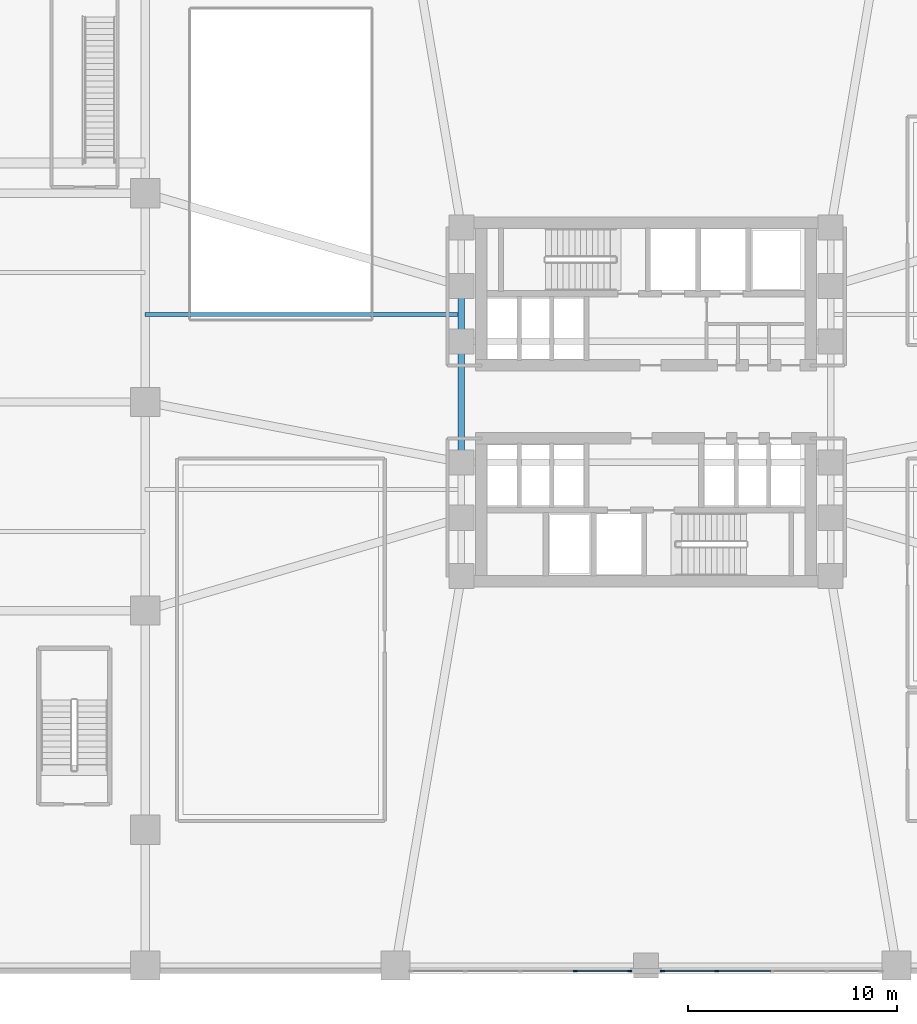
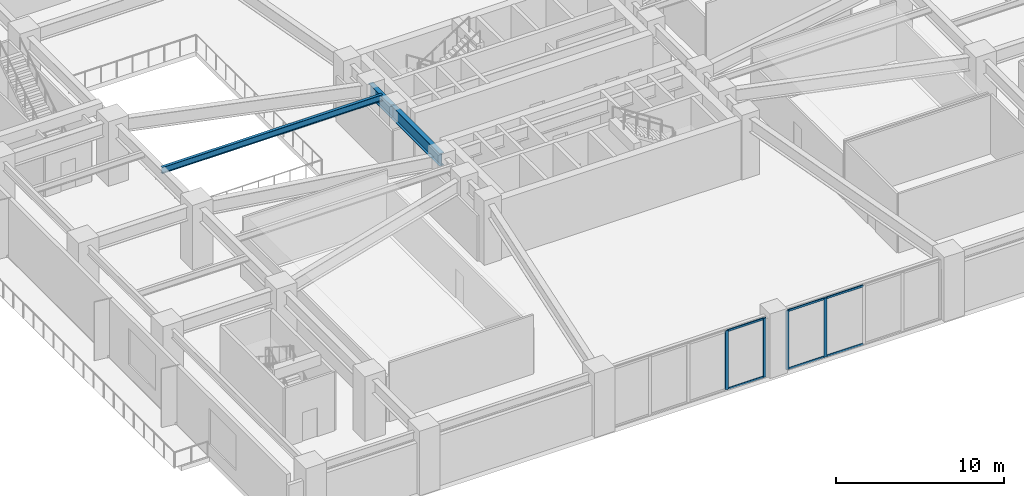
# One storey, part 3 of 13: 10 members, 3 beams, 2 elements without a shape of their own.
"""IFC4 building model written with IfcOpenShell, lengths in metres."""

from ifc_helpers import new_model, si_unit, direction, frame, origin, origin_2d, place, context, subcontext, project, spatial, rectangle, i_section, extrude, material, layer, layer_set, material_profile, profile_set, type_object, element, aggregate, save


model = new_model("IFC4")

# Units and contexts
model_context = context("Model", 3, precision=1e-05, world=origin(), true_north=direction((0.0, 1.0)))
body_context = subcontext(model_context, "Body", "Model", "MODEL_VIEW")
ifc_project = project(units=[si_unit("LENGTHUNIT", "METRE"), si_unit("AREAUNIT", "SQUARE_METRE"), si_unit("VOLUMEUNIT", "CUBIC_METRE"), si_unit("PLANEANGLEUNIT", "RADIAN"), si_unit("MASSUNIT", "GRAM", prefix="KILO")], contexts=[model_context])

# Site, building, storey
site_placement = place(None, origin())
site = spatial("IfcSite", under=ifc_project, at=site_placement, CompositionType="ELEMENT")
building_placement = place(site_placement, origin())
building = spatial("IfcBuilding", under=site, at=building_placement, Name="Solmarez Civic Tower", CompositionType="ELEMENT")
storey_placement = place(building_placement, frame((0.0, 0.0, 14.760009765625)))
storey = spatial("IfcBuildingStorey", under=building, at=storey_placement, Name="L03", CompositionType="ELEMENT", Elevation=14.760009765625)

# Beams
ifc_material_1 = material(Name="Steel S355", Category="steel")
ifc_material_profile_1 = material_profile(ifc_material_1, i_section(OverallWidth=0.19189453125, OverallDepth=0.462890625, WebThickness=0.010498046875, FlangeThickness=0.017578125, at=origin_2d()), Name="W18X60")
ifc_profile_set_1 = profile_set([ifc_material_profile_1], Name="Steel S355")
beam_type_1 = type_object("IfcBeamType", Name="BM-JS-W18X60", PredefinedType="JOIST", material=ifc_profile_set_1)
beam_1_placement = place(storey_placement, frame((-24.0, 4.199951171875, 4.048095703125), z_axis=(1.0, 0.0, 0.0), x_axis=(0.0, 1.0, 0.0)))
element("IfcBeam", 1, at=beam_1_placement, inside=storey, type_object=beam_type_1, Name="L03 Secondary Floor Joist JS-L03-WM2", PredefinedType="JOIST", context=body_context, shape_type="SweptSolid", body=[
    extrude(i_section(OverallWidth=0.19189453125, OverallDepth=0.462890625, WebThickness=0.010498046875, FlangeThickness=0.017578125, at=origin_2d()), origin(), (0.0, 0.0, 1.0), 15.14990234375),
])
ifc_material_profile_2 = material_profile(ifc_material_1, i_section(OverallWidth=0.306884765625, OverallDepth=0.927001953125, WebThickness=0.019287109375, FlangeThickness=0.031982421875, at=origin_2d()), Name="W36X194")
ifc_profile_set_2 = profile_set([ifc_material_profile_2], Name="Steel S355")
beam_type_2 = type_object("IfcBeamType", Name="BM-PR-W36X194", PredefinedType="BEAM", material=ifc_profile_set_2)
beam_2_placement = place(storey_placement, frame((-8.85009765625, -2.89990234375, 3.81591796875), z_axis=(0.0, 1.0, 0.0), x_axis=(-1.0, 0.0, 0.0)))
element("IfcBeam", 2, at=beam_2_placement, inside=storey, type_object=beam_type_2, Name="L03 Primary Floor Beam BM-L03-HC2-HC3", PredefinedType="BEAM", context=body_context, shape_type="SweptSolid", body=[
    extrude(i_section(OverallWidth=0.306884765625, OverallDepth=0.927001953125, WebThickness=0.019287109375, FlangeThickness=0.031982421875, at=origin_2d()), origin(), (0.0, 0.0, 1.0), 5.7998046875),
])
beam_3_placement = place(storey_placement, frame((-8.85009765625, 2.89990234375, 3.81591796875), z_axis=(0.0, 1.0, 0.0), x_axis=(-1.0, 0.0, 0.0)))
element("IfcBeam", 3, at=beam_3_placement, inside=storey, type_object=beam_type_2, Name="L03 Primary Floor Beam BM-L03-HC3-HC4", PredefinedType="BEAM", context=body_context, shape_type="SweptSolid", body=[
    extrude(i_section(OverallWidth=0.306884765625, OverallDepth=0.927001953125, WebThickness=0.019287109375, FlangeThickness=0.031982421875, at=origin_2d()), origin(), (0.0, 0.0, 1.0), 2.650146484375),
])

# Curtain wall, members
ifc_material_2 = material(Name="Bronze Anodised Aluminium EN AW-6063 T6", Category="aluminium")
ifc_layer = layer(ifc_material_2, 0.199951171875)
ifc_layer_set = layer_set([ifc_layer], Name="Bronze Anodised Aluminium EN AW-6063 T6")
curtain_wall_type = type_object("IfcCurtainWallType", Name="CW-SYS-1", PredefinedType="NOTDEFINED", material=ifc_layer_set)
curtain_wall_1_placement = place(storey_placement, origin())
curtain_wall_1 = element("IfcCurtainWall", 4, at=curtain_wall_1_placement, inside=storey, type_object=curtain_wall_type, Name="L03 Podium Monumental Curtain Wall SE", PredefinedType="NOTDEFINED")
ifc_material_profile_3 = material_profile(ifc_material_2, rectangle(XDim=0.074951171875, YDim=0.199951171875, at=origin_2d()), Name="CWM-75X200")
ifc_profile_set_3 = profile_set([ifc_material_profile_3], Name="Bronze Anodised Aluminium EN AW-6063 T6")
member_type_1 = type_object("IfcMemberType", Name="CWM-TYPE-1", PredefinedType="MULLION", material=ifc_profile_set_3)
member_1_placement = place(storey_placement, frame((3.387451171875, -27.27001953125, 0.0), z_axis=(0.0, 0.0, 1.0), x_axis=(0.0, -1.0, 0.0)))
member_1 = element("IfcMember", 5, at=member_1_placement, type_object=member_type_1, Name="CWS1 mullion 4", PredefinedType="MULLION", context=body_context, shape_type="SweptSolid", body=[
    extrude(rectangle(XDim=0.074951171875, YDim=0.199951171875, at=origin_2d()), origin(), (0.0, 0.0, 1.0), 4.280029296875),
])
member_2_placement = place(storey_placement, frame((0.78759765625, -27.27001953125, 0.0), z_axis=(0.0, 0.0, 1.0), x_axis=(0.0, -1.0, 0.0)))
member_2 = element("IfcMember", 6, at=member_2_placement, type_object=member_type_1, Name="CWS1 mullion 5", PredefinedType="MULLION", context=body_context, shape_type="SweptSolid", body=[
    extrude(rectangle(XDim=0.074951171875, YDim=0.199951171875, at=origin_2d()), origin(), (0.0, 0.0, 1.0), 4.280029296875),
])

curtain_wall_2_placement = place(storey_placement, origin())
curtain_wall_2 = element("IfcCurtainWall", 7, at=curtain_wall_2_placement, inside=storey, type_object=curtain_wall_type, Name="L03 Podium Monumental Curtain Wall SW", PredefinedType="NOTDEFINED")
member_3_placement = place(storey_placement, frame((-0.78759765625, -27.27001953125, 0.0), z_axis=(0.0, 0.0, 1.0), x_axis=(0.0, -1.0, 0.0)))
member_3 = element("IfcMember", 8, at=member_3_placement, type_object=member_type_1, Name="CWS1 mullion 1", PredefinedType="MULLION", context=body_context, shape_type="SweptSolid", body=[
    extrude(rectangle(XDim=0.074951171875, YDim=0.199951171875, at=origin_2d()), origin(), (0.0, 0.0, 1.0), 4.280029296875),
])
member_4_placement = place(storey_placement, frame((-3.387451171875, -27.27001953125, 0.0), z_axis=(0.0, 0.0, 1.0), x_axis=(0.0, -1.0, 0.0)))
member_4 = element("IfcMember", 9, at=member_4_placement, type_object=member_type_1, Name="CWS1 mullion 2", PredefinedType="MULLION", context=body_context, shape_type="SweptSolid", body=[
    extrude(rectangle(XDim=0.074951171875, YDim=0.199951171875, at=origin_2d()), origin(), (0.0, 0.0, 1.0), 4.280029296875),
])

# Member
ifc_material_profile_4 = material_profile(ifc_material_2, rectangle(XDim=0.070068359375, YDim=0.139892578125, at=origin_2d()), Name="CWT-70X140")
ifc_profile_set_4 = profile_set([ifc_material_profile_4], Name="Bronze Anodised Aluminium EN AW-6063 T6")
member_type_2 = type_object("IfcMemberType", Name="CWT-TYPE-1", PredefinedType="USERDEFINED", material=ifc_profile_set_4)
member_5_placement = place(storey_placement, frame((5.987548828125, -27.27001953125, 0.034912109375), z_axis=(-1.0, 0.0, 0.0), x_axis=(0.0, -1.0, 0.0)))
member_5 = element("IfcMember", 10, at=member_5_placement, type_object=member_type_2, Name="CWS1 transom 3.1", ObjectType="TRANSOM", PredefinedType="USERDEFINED", context=body_context, shape_type="SweptSolid", body=[
    extrude(rectangle(XDim=0.070068359375, YDim=0.139892578125, at=origin_2d()), origin(), (0.0, 0.0, 1.0), 2.5625),
])

member_6_placement = place(storey_placement, frame((5.987548828125, -27.27001953125, 4.244873046875), z_axis=(-1.0, 0.0, 0.0), x_axis=(0.0, -1.0, 0.0)))
member_6 = element("IfcMember", 11, at=member_6_placement, type_object=member_type_2, Name="CWS1 transom 3.2", ObjectType="TRANSOM", PredefinedType="USERDEFINED", context=body_context, shape_type="SweptSolid", body=[
    extrude(rectangle(XDim=0.070068359375, YDim=0.139892578125, at=origin_2d()), origin(), (0.0, 0.0, 1.0), 2.5625),
])

member_7_placement = place(storey_placement, frame((3.35009765625, -27.27001953125, 0.034912109375), z_axis=(-1.0, 0.0, 0.0), x_axis=(0.0, -1.0, 0.0)))
member_7 = element("IfcMember", 12, at=member_7_placement, type_object=member_type_2, Name="CWS1 transom 4.1", ObjectType="TRANSOM", PredefinedType="USERDEFINED", context=body_context, shape_type="SweptSolid", body=[
    extrude(rectangle(XDim=0.070068359375, YDim=0.139892578125, at=origin_2d()), origin(), (0.0, 0.0, 1.0), 2.525146484375),
])

member_8_placement = place(storey_placement, frame((3.35009765625, -27.27001953125, 4.244873046875), z_axis=(-1.0, 0.0, 0.0), x_axis=(0.0, -1.0, 0.0)))
member_8 = element("IfcMember", 13, at=member_8_placement, type_object=member_type_2, Name="CWS1 transom 4.2", ObjectType="TRANSOM", PredefinedType="USERDEFINED", context=body_context, shape_type="SweptSolid", body=[
    extrude(rectangle(XDim=0.070068359375, YDim=0.139892578125, at=origin_2d()), origin(), (0.0, 0.0, 1.0), 2.525146484375),
])

aggregate(curtain_wall_1, [member_1, member_2, member_5, member_6, member_7, member_8])

member_9_placement = place(storey_placement, frame((-0.824951171875, -27.27001953125, 0.034912109375), z_axis=(-1.0, 0.0, 0.0), x_axis=(0.0, -1.0, 0.0)))
member_9 = element("IfcMember", 14, at=member_9_placement, type_object=member_type_2, Name="CWS1 transom 1.1", ObjectType="TRANSOM", PredefinedType="USERDEFINED", context=body_context, shape_type="SweptSolid", body=[
    extrude(rectangle(XDim=0.070068359375, YDim=0.139892578125, at=origin_2d()), origin(), (0.0, 0.0, 1.0), 2.525146484375),
])

member_10_placement = place(storey_placement, frame((-0.824951171875, -27.27001953125, 4.244873046875), z_axis=(-1.0, 0.0, 0.0), x_axis=(0.0, -1.0, 0.0)))
member_10 = element("IfcMember", 15, at=member_10_placement, type_object=member_type_2, Name="CWS1 transom 1.2", ObjectType="TRANSOM", PredefinedType="USERDEFINED", context=body_context, shape_type="SweptSolid", body=[
    extrude(rectangle(XDim=0.070068359375, YDim=0.139892578125, at=origin_2d()), origin(), (0.0, 0.0, 1.0), 2.525146484375),
])

aggregate(curtain_wall_2, [member_3, member_4, member_9, member_10])

save(model, "model.ifc")
